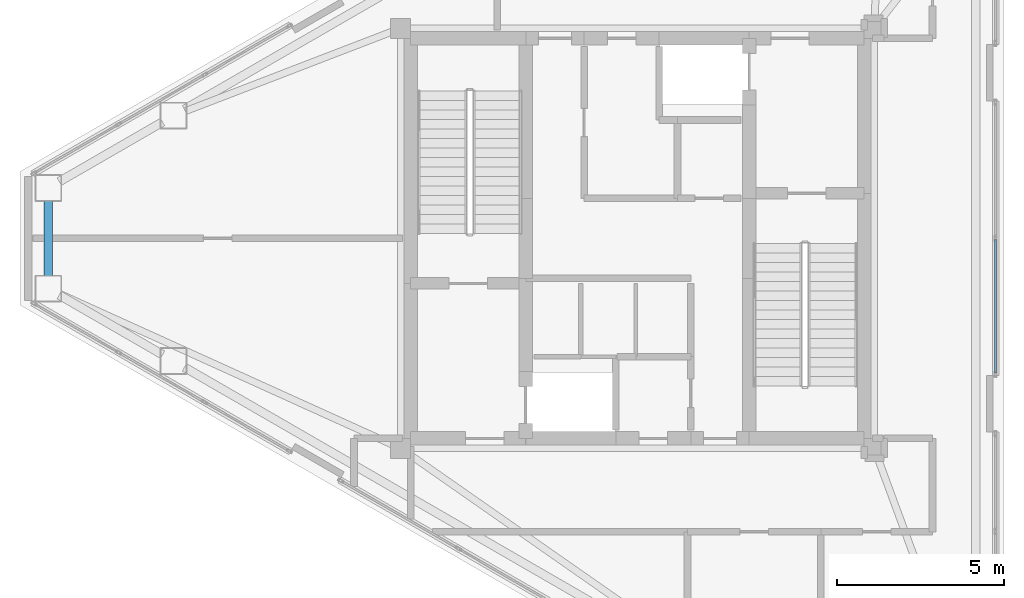
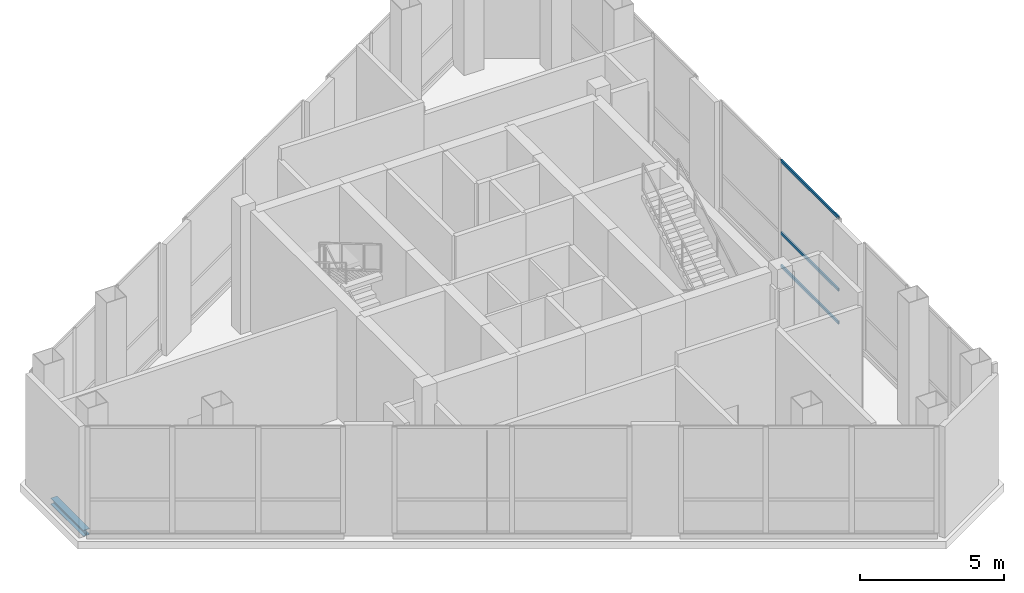
# One storey, part 5 of 13: 3 members, 1 beam, 1 element without a shape of its own.
"""IFC4 building model written with IfcOpenShell, lengths in metres."""

from ifc_helpers import new_model, si_unit, direction, frame, origin, origin_2d, place, context, subcontext, project, spatial, hollow_rectangle, i_section, extrude, material, layer, layer_set, material_profile, profile_set, type_object, element, aggregate, save


model = new_model("IFC4")

# Units and contexts
model_context = context("Model", 3, precision=1e-05, world=origin(), true_north=direction((0.0, 1.0)))
body_context = subcontext(model_context, "Body", "Model", "MODEL_VIEW")
ifc_project = project(units=[si_unit("LENGTHUNIT", "METRE"), si_unit("AREAUNIT", "SQUARE_METRE"), si_unit("VOLUMEUNIT", "CUBIC_METRE"), si_unit("PLANEANGLEUNIT", "RADIAN"), si_unit("MASSUNIT", "GRAM", prefix="KILO")], contexts=[model_context])

# Site, building, storey
site_placement = place(None, origin())
site = spatial("IfcSite", under=ifc_project, at=site_placement, CompositionType="ELEMENT")
building_placement = place(site_placement, origin())
building = spatial("IfcBuilding", under=site, at=building_placement, Name="Mersakhor Tower and Convention Hall", CompositionType="ELEMENT")
storey_placement = place(building_placement, frame((0.0, 0.0, 258.60009765625)))
storey = spatial("IfcBuildingStorey", under=building, at=storey_placement, Name="L72", CompositionType="ELEMENT", Elevation=258.60009765625)

# Beam
ifc_material_1 = material(Name="Steel S355", Category="steel")
ifc_material_profile_1 = material_profile(ifc_material_1, i_section(OverallWidth=0.25634765625, OverallDepth=0.26025390625, WebThickness=0.01025390625, FlangeThickness=0.017333984375, at=origin_2d()), Name="UC 254x254x89")
ifc_profile_set_1 = profile_set([ifc_material_profile_1], Name="Steel S355")
beam_type = type_object("IfcBeamType", Name="BM-SPD-UC254", PredefinedType="SPANDREL", material=ifc_profile_set_1)
beam_placement = place(storey_placement, frame((11.33203125, 25.61865234375, -0.4501953125), z_axis=(0.0, 1.0, 0.0), x_axis=(-1.0, 0.0, 0.0)))
element("IfcBeam", 1, at=beam_placement, inside=storey, type_object=beam_type, Name="L72 Perimeter Spandrel Beam SPB-12", PredefinedType="SPANDREL", context=body_context, shape_type="SweptSolid", body=[
    extrude(i_section(OverallWidth=0.25634765625, OverallDepth=0.26025390625, WebThickness=0.01025390625, FlangeThickness=0.017333984375, at=origin_2d()), origin(), (0.0, 0.0, 1.0), 2.2626953125),
])

# Curtain wall, members
ifc_material_2 = material(Name="Dark solar low-E aluminium curtain wall", Category="aluminium")
ifc_layer = layer(ifc_material_2, 0.2099609375)
ifc_layer_set = layer_set([ifc_layer], Name="Dark solar low-E aluminium curtain wall")
curtain_wall_type = type_object("IfcCurtainWallType", Name="CW-SYS-06", PredefinedType="USERDEFINED", material=ifc_layer_set)
curtain_wall_placement = place(storey_placement, origin())
curtain_wall = element("IfcCurtainWall", 2, at=curtain_wall_placement, inside=storey, type_object=curtain_wall_type, Name="L72 Dark-Glass Curtain Wall F2-B2", ObjectType="CURTAIN WALL", PredefinedType="USERDEFINED")
ifc_material_3 = material(Name="Anodised aluminium EN AW-6063 T6", Category="aluminium")
ifc_material_profile_2 = material_profile(ifc_material_3, hollow_rectangle(XDim=0.06005859375, YDim=0.1201171875, WallThickness=0.0048828125, at=origin_2d()), Name="RHS 120x60x5")
ifc_profile_set_2 = profile_set([ifc_material_profile_2], Name="Anodised aluminium EN AW-6063 T6")
member_type = type_object("IfcMemberType", Name="CWT-120x60", PredefinedType="USERDEFINED", material=ifc_profile_set_2)
member_1_placement = place(storey_placement, frame((39.742919921875, 26.7099609375, 0.22998046875), z_axis=(0.0, -1.0, 0.0), x_axis=(1.0, 0.0, 0.0)))
member_1 = element("IfcMember", 3, at=member_1_placement, type_object=member_type, Name="CW-06 transom 2.1", ObjectType="TRANSOM", PredefinedType="USERDEFINED", context=body_context, shape_type="SweptSolid", body=[
    extrude(hollow_rectangle(XDim=0.06005859375, YDim=0.1201171875, WallThickness=0.0048828125, at=origin_2d()), origin(), (0.0, 0.0, 1.0), 3.993896484375),
])
member_2_placement = place(storey_placement, frame((39.742919921875, 26.7099609375, 1.619873046875), z_axis=(0.0, -1.0, 0.0), x_axis=(1.0, 0.0, 0.0)))
member_2 = element("IfcMember", 4, at=member_2_placement, type_object=member_type, Name="CW-06 transom 2.2", ObjectType="TRANSOM", PredefinedType="USERDEFINED", context=body_context, shape_type="SweptSolid", body=[
    extrude(hollow_rectangle(XDim=0.06005859375, YDim=0.1201171875, WallThickness=0.0048828125, at=origin_2d()), origin(), (0.0, 0.0, 1.0), 3.993896484375),
])
member_3_placement = place(storey_placement, frame((39.742919921875, 26.7099609375, 4.669921875), z_axis=(0.0, -1.0, 0.0), x_axis=(1.0, 0.0, 0.0)))
member_3 = element("IfcMember", 5, at=member_3_placement, type_object=member_type, Name="CW-06 transom 2.3", ObjectType="TRANSOM", PredefinedType="USERDEFINED", context=body_context, shape_type="SweptSolid", body=[
    extrude(hollow_rectangle(XDim=0.06005859375, YDim=0.1201171875, WallThickness=0.0048828125, at=origin_2d()), origin(), (0.0, 0.0, 1.0), 3.993896484375),
])
aggregate(curtain_wall, [member_1, member_2, member_3])

save(model, "model.ifc")
